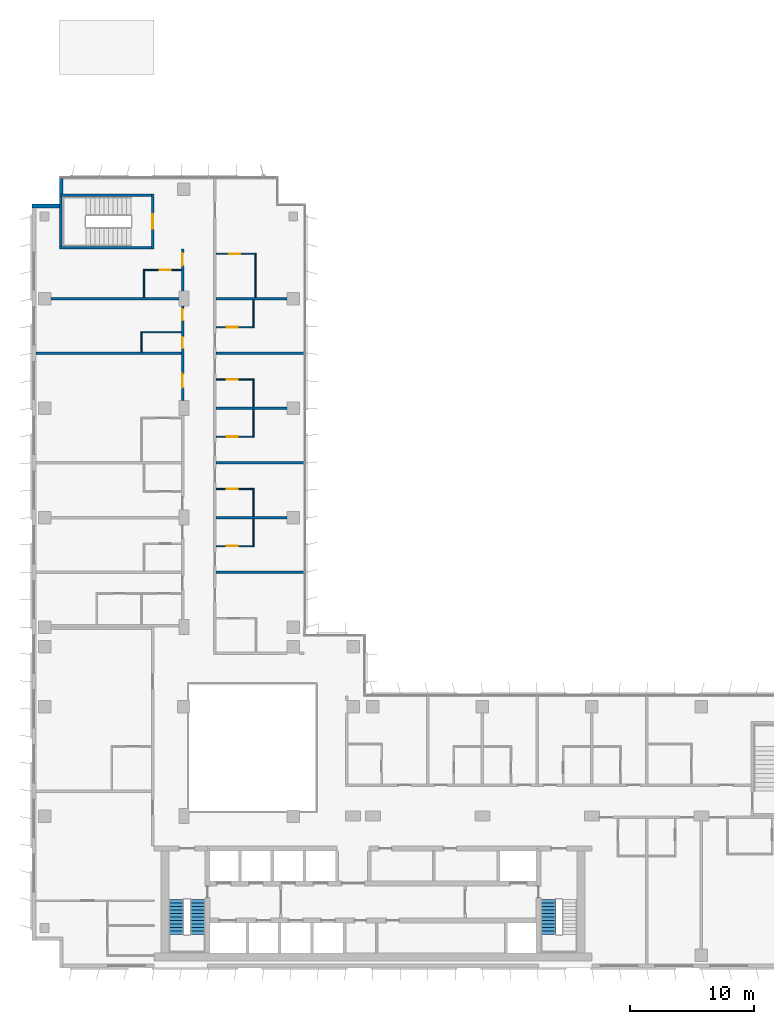
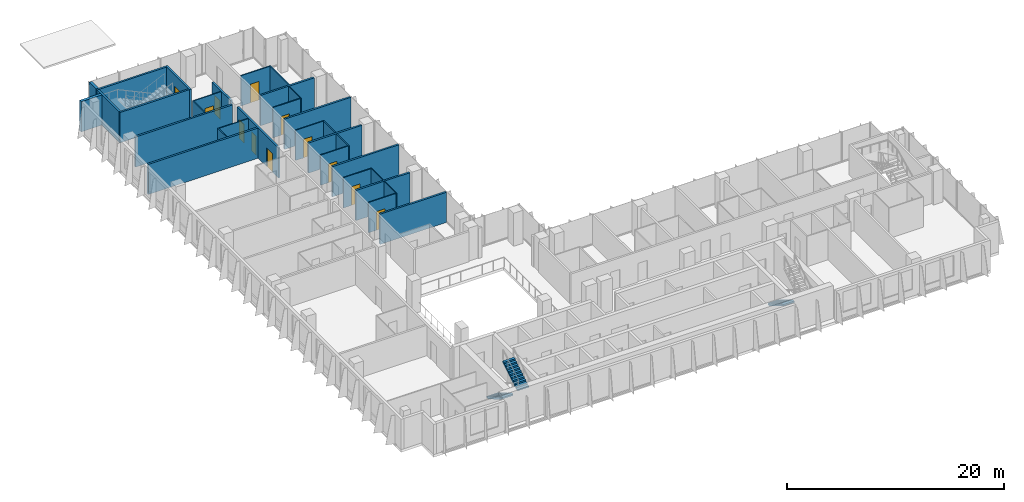
# One storey, part 17 of 21: 32 walls, 12 doors, 3 stair flights, 12 openings, 2 elements without a shape of their own.
"""IFC4 building model written with IfcOpenShell, lengths in metres."""

from ifc_helpers import new_model, si_unit, direction, frame, frame_2d, origin, place, context, subcontext, project, spatial, polyline, rectangle, outline, extrude, material, layer, layer_set, type_object, element, fill, aggregate, save


model = new_model("IFC4")

# Units and contexts
model_context = context("Model", 3, precision=1e-05, world=origin(), true_north=direction((0.0, 1.0)))
body_context = subcontext(model_context, "Body", "Model", "MODEL_VIEW")
ifc_project = project(units=[si_unit("LENGTHUNIT", "METRE"), si_unit("AREAUNIT", "SQUARE_METRE"), si_unit("VOLUMEUNIT", "CUBIC_METRE"), si_unit("PLANEANGLEUNIT", "RADIAN"), si_unit("MASSUNIT", "GRAM", prefix="KILO")], contexts=[model_context])

# Site, building, storey
site_placement = place(None, origin())
site = spatial("IfcSite", under=ifc_project, at=site_placement, CompositionType="ELEMENT")
building_placement = place(site_placement, origin())
building = spatial("IfcBuilding", under=site, at=building_placement, Name="Kemantara Hotel Tower", CompositionType="ELEMENT")
storey_placement = place(building_placement, frame((0.0, 0.0, 156.800048828125)))
storey = spatial("IfcBuildingStorey", under=building, at=storey_placement, Name="L38", CompositionType="ELEMENT", Elevation=156.800048828125)

# Walls
ifc_material_1 = material(Name="Bronze anodised aluminium cladding on insulated steel stud wall", Category="steel")
ifc_layer_1 = layer(ifc_material_1, 0.300048828125)
ifc_layer_set_1 = layer_set([ifc_layer_1], Name="Bronze anodised aluminium cladding on insulated steel stud wall")
wall_type_1 = type_object("IfcWallType", Name="BRONZE METAL-CLAD EXTERNAL WALL 300", PredefinedType="STANDARD", material=ifc_layer_set_1)
wall_1_placement = place(storey_placement, frame((2.35009765625, 63.449951171875, 0.0), z_axis=(0.0, 0.0, 1.0), x_axis=(0.0, -1.0, 0.0)))
element("IfcWall", 1, at=wall_1_placement, inside=storey, type_object=wall_type_1, Name="EXTERNAL WALL L38 T3-R03", PredefinedType="STANDARD", context=body_context, shape_type="SweptSolid", body=[
    extrude(rectangle(XDim=1.25, YDim=0.300048828125, at=frame_2d((0.625, 0.0))), origin(), (0.0, 0.0, 1.0), 3.39990234375),
])
wall_2_placement = place(storey_placement, frame((2.199951171875, 61.25, 0.0), z_axis=(0.0, 0.0, 1.0), x_axis=(-1.0, 0.0, 0.0)))
element("IfcWall", 2, at=wall_2_placement, inside=storey, type_object=wall_type_1, Name="EXTERNAL WALL L38 T3-R04", PredefinedType="STANDARD", context=body_context, shape_type="SweptSolid", body=[
    extrude(rectangle(XDim=2.199951171875, YDim=0.300048828125, at=frame_2d((1.10009765625, 0.0))), origin(), (0.0, 0.0, 1.0), 3.39990234375),
])

# Wall, openings, doors
ifc_material_2 = material(Name="Gypsum board partition, steel studs and mineral wool, 200 mm", Category="steel")
ifc_layer_2 = layer(ifc_material_2, 0.199951171875)
ifc_layer_set_2 = layer_set([ifc_layer_2], Name="Gypsum board partition, steel studs and mineral wool, 200 mm")
wall_type_2 = type_object("IfcWallType", Name="CORRIDOR WALL 200", PredefinedType="PARTITIONING", material=ifc_layer_set_2)
wall_3_placement = place(storey_placement, frame((12.10009765625, 45.60009765625, 0.0), z_axis=(0.0, 0.0, 1.0), x_axis=(0.0, 1.0, 0.0)))
wall_3 = element("IfcWall", 3, at=wall_3_placement, inside=storey, type_object=wall_type_2, Name="CORRIDOR WALL 200 019", PredefinedType="PARTITIONING", context=body_context, shape_type="SweptSolid", body=[
    extrude(rectangle(XDim=7.599853515625, YDim=0.199951171875, at=frame_2d((3.7998046875, 0.0))), origin(), (0.0, 0.0, 1.0), 3.39990234375),
])
opening_1_placement = place(wall_3_placement, frame((1.0498046875, 0.0, 0.0)))
opening_1 = element("IfcOpeningElement", 4, at=opening_1_placement, cuts=wall_3, Name="Opening F17-032", PredefinedType="OPENING", context=body_context, shape_type="SweptSolid", body=[
    extrude(rectangle(XDim=1.10009765625, YDim=2.10009765625, at=frame_2d((0.550048828125, 1.050048828125))), frame((0.0, 0.10986328125, 0.0), z_axis=(0.0, -1.0, 0.0), x_axis=(1.0, 0.0, 0.0)), (0.0, 0.0, 1.0), 0.219970703125),
])
opening_2_placement = place(wall_3_placement, frame((6.449951171875, 0.0, 0.0)))
opening_2 = element("IfcOpeningElement", 5, at=opening_2_placement, cuts=wall_3, Name="Opening F17-034", PredefinedType="OPENING", context=body_context, shape_type="SweptSolid", body=[
    extrude(rectangle(XDim=0.89990234375, YDim=2.10009765625, at=frame_2d((0.449951171875, 1.050048828125))), frame((0.0, 0.10986328125, 0.0), z_axis=(0.0, -1.0, 0.0), x_axis=(1.0, 0.0, 0.0)), (0.0, 0.0, 1.0), 0.219970703125),
])
opening_3_placement = place(wall_3_placement, frame((4.199951171875, 0.0, 0.0)))
opening_3 = element("IfcOpeningElement", 6, at=opening_3_placement, cuts=wall_3, Name="Opening F17-035", PredefinedType="OPENING", context=body_context, shape_type="SweptSolid", body=[
    extrude(rectangle(XDim=0.89990234375, YDim=2.10009765625, at=frame_2d((0.449951171875, 1.050048828125))), frame((0.0, 0.10986328125, 0.0), z_axis=(0.0, -1.0, 0.0), x_axis=(1.0, 0.0, 0.0)), (0.0, 0.0, 1.0), 0.219970703125),
])
ifc_material_3 = material(Name="Steel door leaf with steel frame", Category="steel")
door_type_1 = type_object("IfcDoorType", Name="SERVICE ROOM DOOR 900 X 2100 FD60", OperationType="NOTDEFINED", PredefinedType="DOOR", material=ifc_material_3)
door_1_placement = place(opening_2_placement, origin())
door_1 = element("IfcDoor", 7, at=door_1_placement, inside=storey, type_object=door_type_1, Name="SERVICE ROOM DOOR F17-034", OperationType="SINGLE_SWING_RIGHT", OverallHeight=2.10009765625, OverallWidth=0.89990234375, PredefinedType="DOOR", context=body_context, shape_type="SweptSolid", body=[
    extrude(rectangle(XDim=0.89990234375, YDim=2.10009765625, at=frame_2d((0.449951171875, 1.050048828125))), frame((0.0, 0.02490234375, 0.0), z_axis=(0.0, -1.0, 0.0), x_axis=(1.0, 0.0, 0.0)), (0.0, 0.0, 1.0), 0.050048828125),
])
fill(opening_2, door_1)
door_2_placement = place(opening_3_placement, origin())
door_2 = element("IfcDoor", 8, at=door_2_placement, inside=storey, type_object=door_type_1, Name="SERVICE ROOM DOOR F17-035", OperationType="SINGLE_SWING_LEFT", OverallHeight=2.10009765625, OverallWidth=0.89990234375, PredefinedType="DOOR", context=body_context, shape_type="SweptSolid", body=[
    extrude(rectangle(XDim=0.89990234375, YDim=2.10009765625, at=frame_2d((0.449951171875, 1.050048828125))), frame((0.0, 0.02490234375, 0.0), z_axis=(0.0, -1.0, 0.0), x_axis=(1.0, 0.0, 0.0)), (0.0, 0.0, 1.0), 0.050048828125),
])
fill(opening_3, door_2)
ifc_material_4 = material(Name="Hardwood veneer door leaf with steel frame", Category="steel")
door_type_2 = type_object("IfcDoorType", Name="SUITE ENTRANCE DOOR 1100 X 2100 FD30S", OperationType="NOTDEFINED", PredefinedType="DOOR", material=ifc_material_4)
door_3_placement = place(opening_1_placement, origin())
door_3 = element("IfcDoor", 9, at=door_3_placement, inside=storey, type_object=door_type_2, Name="SUITE ENTRANCE DOOR F17-032", OperationType="SINGLE_SWING_RIGHT", OverallHeight=2.10009765625, OverallWidth=1.10009765625, PredefinedType="DOOR", context=body_context, shape_type="SweptSolid", body=[
    extrude(rectangle(XDim=1.10009765625, YDim=2.10009765625, at=frame_2d((0.550048828125, 1.050048828125))), frame((0.0, 0.02490234375, 0.0), z_axis=(0.0, -1.0, 0.0), x_axis=(1.0, 0.0, 0.0)), (0.0, 0.0, 1.0), 0.050048828125),
])
fill(opening_1, door_3)

# Wall, opening, door
wall_4_placement = place(storey_placement, frame((12.10009765625, 54.400146484375, 0.0), z_axis=(0.0, 0.0, 1.0), x_axis=(0.0, 1.0, 0.0)))
wall_4 = element("IfcWall", 10, at=wall_4_placement, inside=storey, type_object=wall_type_2, Name="CORRIDOR WALL 200 020", PredefinedType="PARTITIONING", context=body_context, shape_type="SweptSolid", body=[
    extrude(rectangle(XDim=3.39990234375, YDim=0.199951171875, at=frame_2d((1.699951171875, 0.0))), origin(), (0.0, 0.0, 1.0), 3.39990234375),
])
opening_4_placement = place(wall_4_placement, frame((2.0498046875, 0.0, 0.0)))
opening_4 = element("IfcOpeningElement", 11, at=opening_4_placement, cuts=wall_4, Name="Opening F17-036", PredefinedType="OPENING", context=body_context, shape_type="SweptSolid", body=[
    extrude(rectangle(XDim=1.0, YDim=2.10009765625, at=frame_2d((0.5, 1.050048828125))), frame((0.0, 0.10986328125, 0.0), z_axis=(0.0, -1.0, 0.0), x_axis=(1.0, 0.0, 0.0)), (0.0, 0.0, 1.0), 0.219970703125),
])
door_type_3 = type_object("IfcDoorType", Name="GUEST ROOM DOOR 1000 X 2100 FD30S", OperationType="NOTDEFINED", PredefinedType="DOOR", material=ifc_material_4)
door_4_placement = place(opening_4_placement, origin())
door_4 = element("IfcDoor", 12, at=door_4_placement, inside=storey, type_object=door_type_3, Name="GUEST ROOM DOOR F17-036", OperationType="SINGLE_SWING_RIGHT", OverallHeight=2.10009765625, OverallWidth=1.0, PredefinedType="DOOR", context=body_context, shape_type="SweptSolid", body=[
    extrude(rectangle(XDim=1.0, YDim=2.10009765625, at=frame_2d((0.5, 1.050048828125))), frame((0.0, 0.02490234375, 0.0), z_axis=(0.0, -1.0, 0.0), x_axis=(1.0, 0.0, 0.0)), (0.0, 0.0, 1.0), 0.050048828125),
])
fill(opening_4, door_4)

ifc_material_5 = material(Name="Concrete fc 40 MPa", Category="concrete")
ifc_layer_3 = layer(ifc_material_5, 0.199951171875)
ifc_layer_set_3 = layer_set([ifc_layer_3], Name="Concrete fc 40 MPa")
wall_type_3 = type_object("IfcWallType", Name="Concrete stair wall 200 mm", PredefinedType="SHEAR", material=ifc_layer_set_3)
wall_5_placement = place(storey_placement, frame((9.699951171875, 57.800048828125, 0.0), z_axis=(0.0, 0.0, 1.0), x_axis=(0.0, 1.0, 0.0)))
wall_5 = element("IfcWall", 13, at=wall_5_placement, inside=storey, type_object=wall_type_3, Name="Stair ST4 enclosure wall with door", PredefinedType="SHEAR", context=body_context, shape_type="SweptSolid", body=[
    extrude(rectangle(XDim=4.39990234375, YDim=0.199951171875, at=frame_2d((2.199951171875, 0.0))), origin(), (0.0, 0.0, 1.0), 3.39990234375),
])
opening_5_placement = place(wall_5_placement, frame((1.60009765625, 0.0, 0.0)))
opening_5 = element("IfcOpeningElement", 14, at=opening_5_placement, cuts=wall_5, Name="Opening ST4-C", PredefinedType="OPENING", context=body_context, shape_type="SweptSolid", body=[
    extrude(rectangle(XDim=1.199951171875, YDim=2.10009765625, at=frame_2d((0.60009765625, 1.050048828125))), frame((0.0, 0.10986328125, 0.0), z_axis=(0.0, -1.0, 0.0), x_axis=(1.0, 0.0, 0.0)), (0.0, 0.0, 1.0), 0.219970703125),
])
ifc_material_6 = material(Name="Steel fire door", Category="steel")
door_type_4 = type_object("IfcDoorType", Name="Fire door FD90 1200 x 2100", OperationType="NOTDEFINED", PredefinedType="DOOR", material=ifc_material_6)
door_5_placement = place(opening_5_placement, origin())
door_5 = element("IfcDoor", 15, at=door_5_placement, inside=storey, type_object=door_type_4, Name="Stair ST4 door", OperationType="SINGLE_SWING_RIGHT", OverallHeight=2.10009765625, OverallWidth=1.199951171875, PredefinedType="DOOR", context=body_context, shape_type="SweptSolid", body=[
    extrude(rectangle(XDim=1.199951171875, YDim=2.10009765625, at=frame_2d((0.60009765625, 1.050048828125))), frame((0.0, 0.02490234375, 0.0), z_axis=(0.0, -1.0, 0.0), x_axis=(1.0, 0.0, 0.0)), (0.0, 0.0, 1.0), 0.050048828125),
])
fill(opening_5, door_5)

# Walls
for number, where, z_axis, x_axis, name in (
    (16, (2.199951171875, 62.10009765625, 0.0), (0.0, 0.0, 1.0), (1.0, 0.0, 0.0), "Stair ST4 enclosure wall N"),
    (17, (2.199951171875, 57.89990234375, 0.0), (0.0, 0.0, 1.0), (1.0, 0.0, 0.0), "Stair ST4 enclosure wall S"),
):
    element("IfcWall", number, at=place(storey_placement, frame(where, z_axis=z_axis, x_axis=x_axis)), inside=storey, type_object=wall_type_3, Name=name, PredefinedType="SHEAR", context=body_context, shape_type="SweptSolid", body=[
        extrude(rectangle(XDim=7.400146484375, YDim=0.199951171875, at=frame_2d((3.7001953125, 0.0))), origin(), (0.0, 0.0, 1.0), 3.39990234375),
    ])
wall_6_placement = place(storey_placement, frame((2.300048828125, 58.0, 0.0), z_axis=(0.0, 0.0, 1.0), x_axis=(0.0, 1.0, 0.0)))
element("IfcWall", 18, at=wall_6_placement, inside=storey, type_object=wall_type_3, Name="Stair ST4 enclosure wall W", PredefinedType="SHEAR", context=body_context, shape_type="SweptSolid", body=[
    extrude(rectangle(XDim=4.0, YDim=0.199951171875, at=frame_2d((2.0, 0.0))), origin(), (0.0, 0.0, 1.0), 3.39990234375),
])
ifc_layer_4 = layer(ifc_material_2, 0.199951171875)
ifc_layer_set_4 = layer_set([ifc_layer_4], Name="Gypsum board partition, steel studs and mineral wool, 200 mm")
wall_type_4 = type_object("IfcWallType", Name="GUEST ROOM PARTY WALL 200", PredefinedType="PARTITIONING", material=ifc_layer_set_4)
wall_7_placement = place(storey_placement, frame((14.800048828125, 31.800048828125, 0.0), z_axis=(0.0, 0.0, 1.0), x_axis=(1.0, 0.0, 0.0)))
element("IfcWall", 19, at=wall_7_placement, inside=storey, type_object=wall_type_4, Name="GUEST ROOM PARTY WALL 200 023", PredefinedType="PARTITIONING", context=body_context, shape_type="SweptSolid", body=[
    extrude(rectangle(XDim=7.070068359375, YDim=0.199951171875, at=frame_2d((3.53515625, 0.0))), origin(), (0.0, 0.0, 1.0), 3.39990234375),
])
wall_8_placement = place(storey_placement, frame((14.800048828125, 36.199951171875, 0.0), z_axis=(0.0, 0.0, 1.0), x_axis=(1.0, 0.0, 0.0)))
element("IfcWall", 20, at=wall_8_placement, inside=storey, type_object=wall_type_4, Name="GUEST ROOM PARTY WALL 200 025", PredefinedType="PARTITIONING", context=body_context, shape_type="SweptSolid", body=[
    extrude(rectangle(XDim=5.699951171875, YDim=0.199951171875, at=frame_2d((2.85009765625, 0.0))), origin(), (0.0, 0.0, 1.0), 3.39990234375),
])
wall_9_placement = place(storey_placement, frame((14.800048828125, 40.60009765625, 0.0), z_axis=(0.0, 0.0, 1.0), x_axis=(1.0, 0.0, 0.0)))
element("IfcWall", 21, at=wall_9_placement, inside=storey, type_object=wall_type_4, Name="GUEST ROOM PARTY WALL 200 027", PredefinedType="PARTITIONING", context=body_context, shape_type="SweptSolid", body=[
    extrude(rectangle(XDim=7.070068359375, YDim=0.199951171875, at=frame_2d((3.53515625, 0.0))), origin(), (0.0, 0.0, 1.0), 3.39990234375),
])
wall_10_placement = place(storey_placement, frame((0.31005859375, 49.39990234375, 0.0), z_axis=(0.0, 0.0, 1.0), x_axis=(1.0, 0.0, 0.0)))
element("IfcWall", 22, at=wall_10_placement, inside=storey, type_object=wall_type_4, Name="GUEST ROOM PARTY WALL 200 028", PredefinedType="PARTITIONING", context=body_context, shape_type="SweptSolid", body=[
    extrude(rectangle(XDim=11.68994140625, YDim=0.199951171875, at=frame_2d((5.844970703125, 0.0))), origin(), (0.0, 0.0, 1.0), 3.39990234375),
])
wall_11_placement = place(storey_placement, frame((14.800048828125, 49.39990234375, 0.0), z_axis=(0.0, 0.0, 1.0), x_axis=(1.0, 0.0, 0.0)))
element("IfcWall", 23, at=wall_11_placement, inside=storey, type_object=wall_type_4, Name="GUEST ROOM PARTY WALL 200 029", PredefinedType="PARTITIONING", context=body_context, shape_type="SweptSolid", body=[
    extrude(rectangle(XDim=7.070068359375, YDim=0.199951171875, at=frame_2d((3.53515625, 0.0))), origin(), (0.0, 0.0, 1.0), 3.39990234375),
])
wall_12_placement = place(storey_placement, frame((1.5, 53.800048828125, 0.0), z_axis=(0.0, 0.0, 1.0), x_axis=(1.0, 0.0, 0.0)))
element("IfcWall", 24, at=wall_12_placement, inside=storey, type_object=wall_type_4, Name="GUEST ROOM PARTY WALL 200 030", PredefinedType="PARTITIONING", context=body_context, shape_type="SweptSolid", body=[
    extrude(rectangle(XDim=10.2998046875, YDim=0.199951171875, at=frame_2d((5.14990234375, 0.0))), origin(), (0.0, 0.0, 1.0), 3.39990234375),
])
for number, where, z_axis, x_axis, name in (
    (25, (14.800048828125, 53.800048828125, 0.0), (0.0, 0.0, 1.0), (1.0, 0.0, 0.0), "GUEST ROOM PARTY WALL 200 031"),
    (26, (14.800048828125, 45.0, 0.0), (0.0, 0.0, 1.0), (1.0, 0.0, 0.0), "GUEST ROOM PARTY WALL 200 035"),
):
    element("IfcWall", number, at=place(storey_placement, frame(where, z_axis=z_axis, x_axis=x_axis)), inside=storey, type_object=wall_type_4, Name=name, PredefinedType="PARTITIONING", context=body_context, shape_type="SweptSolid", body=[
        extrude(rectangle(XDim=5.699951171875, YDim=0.199951171875, at=frame_2d((2.85009765625, 0.0))), origin(), (0.0, 0.0, 1.0), 3.39990234375),
    ])
ifc_material_7 = material(Name="Gypsum board partition on steel studs, 100 mm", Category="steel")
ifc_layer_5 = layer(ifc_material_7, 0.10009765625)
ifc_layer_set_5 = layer_set([ifc_layer_5], Name="Gypsum board partition on steel studs, 100 mm")
wall_type_5 = type_object("IfcWallType", Name="ROOM PARTITION 100", PredefinedType="PARTITIONING", material=ifc_layer_set_5)
wall_13_placement = place(storey_placement, frame((8.800048828125, 49.5, 0.0), z_axis=(0.0, 0.0, 1.0), x_axis=(0.0, 1.0, 0.0)))
element("IfcWall", 27, at=wall_13_placement, inside=storey, type_object=wall_type_5, Name="ROOM PARTITION 100 064", PredefinedType="PARTITIONING", context=body_context, shape_type="SweptSolid", body=[
    extrude(rectangle(XDim=1.64990234375, YDim=0.10009765625, at=frame_2d((0.824951171875, 0.0))), origin(), (0.0, 0.0, 1.0), 3.39990234375),
])
wall_14_placement = place(storey_placement, frame((9.0, 53.89990234375, 0.0), z_axis=(0.0, 0.0, 1.0), x_axis=(0.0, 1.0, 0.0)))
element("IfcWall", 28, at=wall_14_placement, inside=storey, type_object=wall_type_5, Name="ROOM PARTITION 100 068", PredefinedType="PARTITIONING", context=body_context, shape_type="SweptSolid", body=[
    extrude(rectangle(XDim=2.25, YDim=0.10009765625, at=frame_2d((1.125, 0.0))), origin(), (0.0, 0.0, 1.0), 3.39990234375),
])
wall_15_placement = place(storey_placement, frame((8.85009765625, 51.10009765625, 0.0), z_axis=(0.0, 0.0, 1.0), x_axis=(1.0, 0.0, 0.0)))
element("IfcWall", 29, at=wall_15_placement, inside=storey, type_object=wall_type_5, Name="ROOM PARTITION 100 072", PredefinedType="PARTITIONING", context=body_context, shape_type="SweptSolid", body=[
    extrude(rectangle(XDim=3.14990234375, YDim=0.10009765625, at=frame_2d((1.574951171875, 0.0))), origin(), (0.0, 0.0, 1.0), 3.39990234375),
])

# Wall, opening, door
wall_16_placement = place(storey_placement, frame((12.0, 56.10009765625, 0.0), z_axis=(0.0, 0.0, 1.0), x_axis=(-1.0, 0.0, 0.0)))
wall_16 = element("IfcWall", 30, at=wall_16_placement, inside=storey, type_object=wall_type_5, Name="ROOM PARTITION 100 073", PredefinedType="PARTITIONING", context=body_context, shape_type="SweptSolid", body=[
    extrude(rectangle(XDim=2.949951171875, YDim=0.10009765625, at=frame_2d((1.47509765625, 0.0))), origin(), (0.0, 0.0, 1.0), 3.39990234375),
])
opening_6_placement = place(wall_16_placement, frame((0.85009765625, 0.0, 0.0)))
opening_6 = element("IfcOpeningElement", 31, at=opening_6_placement, cuts=wall_16, Name="Opening F17-037", PredefinedType="OPENING", context=body_context, shape_type="SweptSolid", body=[
    extrude(rectangle(XDim=0.89990234375, YDim=2.10009765625, at=frame_2d((0.449951171875, 1.050048828125))), frame((0.0, 0.06005859375, 0.0), z_axis=(0.0, -1.0, 0.0), x_axis=(1.0, 0.0, 0.0)), (0.0, 0.0, 1.0), 0.1201171875),
])
door_type_5 = type_object("IfcDoorType", Name="BATHROOM DOOR 900 X 2100", OperationType="NOTDEFINED", PredefinedType="DOOR", material=ifc_material_4)
door_6_placement = place(opening_6_placement, origin())
door_6 = element("IfcDoor", 32, at=door_6_placement, inside=storey, type_object=door_type_5, Name="BATHROOM DOOR F17-037", OperationType="SINGLE_SWING_LEFT", OverallHeight=2.10009765625, OverallWidth=0.89990234375, PredefinedType="DOOR", context=body_context, shape_type="SweptSolid", body=[
    extrude(rectangle(XDim=0.89990234375, YDim=2.10009765625, at=frame_2d((0.449951171875, 1.050048828125))), frame((0.0, 0.02490234375, 0.0), z_axis=(0.0, -1.0, 0.0), x_axis=(1.0, 0.0, 0.0)), (0.0, 0.0, 1.0), 0.050048828125),
])
fill(opening_6, door_6)

# Walls
for number, where, z_axis, x_axis, name in (
    (33, (17.800048828125, 33.85009765625, 0.0), (0.0, 0.0, 1.0), (0.0, 1.0, 0.0), "ROOM PARTITION 100 076"),
    (34, (17.800048828125, 36.300048828125, 0.0), (0.0, 0.0, 1.0), (0.0, 1.0, 0.0), "ROOM PARTITION 100 077"),
    (35, (17.800048828125, 42.64990234375, 0.0), (0.0, 0.0, 1.0), (0.0, 1.0, 0.0), "ROOM PARTITION 100 078"),
    (36, (17.800048828125, 45.10009765625, 0.0), (0.0, 0.0, 1.0), (0.0, 1.0, 0.0), "ROOM PARTITION 100 079"),
    (37, (17.800048828125, 51.449951171875, 0.0), (0.0, 0.0, 1.0), (0.0, 1.0, 0.0), "ROOM PARTITION 100 080"),
):
    element("IfcWall", number, at=place(storey_placement, frame(where, z_axis=z_axis, x_axis=x_axis)), inside=storey, type_object=wall_type_5, Name=name, PredefinedType="PARTITIONING", context=body_context, shape_type="SweptSolid", body=[
        extrude(rectangle(XDim=2.25, YDim=0.10009765625, at=frame_2d((1.125, 0.0))), origin(), (0.0, 0.0, 1.0), 3.39990234375),
    ])

# Wall, opening, door
wall_17_placement = place(storey_placement, frame((14.800048828125, 33.89990234375, 0.0), z_axis=(0.0, 0.0, 1.0), x_axis=(1.0, 0.0, 0.0)))
wall_17 = element("IfcWall", 38, at=wall_17_placement, inside=storey, type_object=wall_type_5, Name="ROOM PARTITION 100 081", PredefinedType="PARTITIONING", context=body_context, shape_type="SweptSolid", body=[
    extrude(rectangle(XDim=2.949951171875, YDim=0.10009765625, at=frame_2d((1.47509765625, 0.0))), origin(), (0.0, 0.0, 1.0), 3.39990234375),
])
opening_7_placement = place(wall_17_placement, frame((0.85009765625, 0.0, 0.0)))
opening_7 = element("IfcOpeningElement", 39, at=opening_7_placement, cuts=wall_17, Name="Opening F17-041", PredefinedType="OPENING", context=body_context, shape_type="SweptSolid", body=[
    extrude(rectangle(XDim=0.89990234375, YDim=2.10009765625, at=frame_2d((0.449951171875, 1.050048828125))), frame((0.0, 0.06005859375, 0.0), z_axis=(0.0, -1.0, 0.0), x_axis=(1.0, 0.0, 0.0)), (0.0, 0.0, 1.0), 0.1201171875),
])
door_7_placement = place(opening_7_placement, origin())
door_7 = element("IfcDoor", 40, at=door_7_placement, inside=storey, type_object=door_type_5, Name="BATHROOM DOOR F17-041", OperationType="SINGLE_SWING_LEFT", OverallHeight=2.10009765625, OverallWidth=0.89990234375, PredefinedType="DOOR", context=body_context, shape_type="SweptSolid", body=[
    extrude(rectangle(XDim=0.89990234375, YDim=2.10009765625, at=frame_2d((0.449951171875, 1.050048828125))), frame((0.0, 0.02490234375, 0.0), z_axis=(0.0, -1.0, 0.0), x_axis=(1.0, 0.0, 0.0)), (0.0, 0.0, 1.0), 0.050048828125),
])
fill(opening_7, door_7)

wall_18_placement = place(storey_placement, frame((17.75, 38.5, 0.0), z_axis=(0.0, 0.0, 1.0), x_axis=(-1.0, 0.0, 0.0)))
wall_18 = element("IfcWall", 41, at=wall_18_placement, inside=storey, type_object=wall_type_5, Name="ROOM PARTITION 100 082", PredefinedType="PARTITIONING", context=body_context, shape_type="SweptSolid", body=[
    extrude(rectangle(XDim=2.949951171875, YDim=0.10009765625, at=frame_2d((1.47509765625, 0.0))), origin(), (0.0, 0.0, 1.0), 3.39990234375),
])
opening_8_placement = place(wall_18_placement, frame((1.199951171875, 0.0, 0.0)))
opening_8 = element("IfcOpeningElement", 42, at=opening_8_placement, cuts=wall_18, Name="Opening F17-043", PredefinedType="OPENING", context=body_context, shape_type="SweptSolid", body=[
    extrude(rectangle(XDim=0.89990234375, YDim=2.10009765625, at=frame_2d((0.449951171875, 1.050048828125))), frame((0.0, 0.06005859375, 0.0), z_axis=(0.0, -1.0, 0.0), x_axis=(1.0, 0.0, 0.0)), (0.0, 0.0, 1.0), 0.1201171875),
])
door_8_placement = place(opening_8_placement, origin())
door_8 = element("IfcDoor", 43, at=door_8_placement, inside=storey, type_object=door_type_5, Name="BATHROOM DOOR F17-043", OperationType="SINGLE_SWING_RIGHT", OverallHeight=2.10009765625, OverallWidth=0.89990234375, PredefinedType="DOOR", context=body_context, shape_type="SweptSolid", body=[
    extrude(rectangle(XDim=0.89990234375, YDim=2.10009765625, at=frame_2d((0.449951171875, 1.050048828125))), frame((0.0, 0.02490234375, 0.0), z_axis=(0.0, -1.0, 0.0), x_axis=(1.0, 0.0, 0.0)), (0.0, 0.0, 1.0), 0.050048828125),
])
fill(opening_8, door_8)

wall_19_placement = place(storey_placement, frame((14.800048828125, 42.699951171875, 0.0), z_axis=(0.0, 0.0, 1.0), x_axis=(1.0, 0.0, 0.0)))
wall_19 = element("IfcWall", 44, at=wall_19_placement, inside=storey, type_object=wall_type_5, Name="ROOM PARTITION 100 083", PredefinedType="PARTITIONING", context=body_context, shape_type="SweptSolid", body=[
    extrude(rectangle(XDim=2.949951171875, YDim=0.10009765625, at=frame_2d((1.47509765625, 0.0))), origin(), (0.0, 0.0, 1.0), 3.39990234375),
])
opening_9_placement = place(wall_19_placement, frame((0.85009765625, 0.0, 0.0)))
opening_9 = element("IfcOpeningElement", 45, at=opening_9_placement, cuts=wall_19, Name="Opening F17-045", PredefinedType="OPENING", context=body_context, shape_type="SweptSolid", body=[
    extrude(rectangle(XDim=0.89990234375, YDim=2.10009765625, at=frame_2d((0.449951171875, 1.050048828125))), frame((0.0, 0.06005859375, 0.0), z_axis=(0.0, -1.0, 0.0), x_axis=(1.0, 0.0, 0.0)), (0.0, 0.0, 1.0), 0.1201171875),
])
door_9_placement = place(opening_9_placement, origin())
door_9 = element("IfcDoor", 46, at=door_9_placement, inside=storey, type_object=door_type_5, Name="BATHROOM DOOR F17-045", OperationType="SINGLE_SWING_LEFT", OverallHeight=2.10009765625, OverallWidth=0.89990234375, PredefinedType="DOOR", context=body_context, shape_type="SweptSolid", body=[
    extrude(rectangle(XDim=0.89990234375, YDim=2.10009765625, at=frame_2d((0.449951171875, 1.050048828125))), frame((0.0, 0.02490234375, 0.0), z_axis=(0.0, -1.0, 0.0), x_axis=(1.0, 0.0, 0.0)), (0.0, 0.0, 1.0), 0.050048828125),
])
fill(opening_9, door_9)

wall_20_placement = place(storey_placement, frame((17.75, 47.300048828125, 0.0), z_axis=(0.0, 0.0, 1.0), x_axis=(-1.0, 0.0, 0.0)))
wall_20 = element("IfcWall", 47, at=wall_20_placement, inside=storey, type_object=wall_type_5, Name="ROOM PARTITION 100 084", PredefinedType="PARTITIONING", context=body_context, shape_type="SweptSolid", body=[
    extrude(rectangle(XDim=2.949951171875, YDim=0.10009765625, at=frame_2d((1.47509765625, 0.0))), origin(), (0.0, 0.0, 1.0), 3.39990234375),
])
opening_10_placement = place(wall_20_placement, frame((1.199951171875, 0.0, 0.0)))
opening_10 = element("IfcOpeningElement", 48, at=opening_10_placement, cuts=wall_20, Name="Opening F17-047", PredefinedType="OPENING", context=body_context, shape_type="SweptSolid", body=[
    extrude(rectangle(XDim=0.89990234375, YDim=2.10009765625, at=frame_2d((0.449951171875, 1.050048828125))), frame((0.0, 0.06005859375, 0.0), z_axis=(0.0, -1.0, 0.0), x_axis=(1.0, 0.0, 0.0)), (0.0, 0.0, 1.0), 0.1201171875),
])
door_10_placement = place(opening_10_placement, origin())
door_10 = element("IfcDoor", 49, at=door_10_placement, inside=storey, type_object=door_type_5, Name="BATHROOM DOOR F17-047", OperationType="SINGLE_SWING_RIGHT", OverallHeight=2.10009765625, OverallWidth=0.89990234375, PredefinedType="DOOR", context=body_context, shape_type="SweptSolid", body=[
    extrude(rectangle(XDim=0.89990234375, YDim=2.10009765625, at=frame_2d((0.449951171875, 1.050048828125))), frame((0.0, 0.02490234375, 0.0), z_axis=(0.0, -1.0, 0.0), x_axis=(1.0, 0.0, 0.0)), (0.0, 0.0, 1.0), 0.050048828125),
])
fill(opening_10, door_10)

wall_21_placement = place(storey_placement, frame((14.800048828125, 51.5, 0.0), z_axis=(0.0, 0.0, 1.0), x_axis=(1.0, 0.0, 0.0)))
wall_21 = element("IfcWall", 50, at=wall_21_placement, inside=storey, type_object=wall_type_5, Name="ROOM PARTITION 100 085", PredefinedType="PARTITIONING", context=body_context, shape_type="SweptSolid", body=[
    extrude(rectangle(XDim=2.949951171875, YDim=0.10009765625, at=frame_2d((1.47509765625, 0.0))), origin(), (0.0, 0.0, 1.0), 3.39990234375),
])
opening_11_placement = place(wall_21_placement, frame((0.85009765625, 0.0, 0.0)))
opening_11 = element("IfcOpeningElement", 51, at=opening_11_placement, cuts=wall_21, Name="Opening F17-049", PredefinedType="OPENING", context=body_context, shape_type="SweptSolid", body=[
    extrude(rectangle(XDim=0.89990234375, YDim=2.10009765625, at=frame_2d((0.449951171875, 1.050048828125))), frame((0.0, 0.06005859375, 0.0), z_axis=(0.0, -1.0, 0.0), x_axis=(1.0, 0.0, 0.0)), (0.0, 0.0, 1.0), 0.1201171875),
])
door_11_placement = place(opening_11_placement, origin())
door_11 = element("IfcDoor", 52, at=door_11_placement, inside=storey, type_object=door_type_5, Name="BATHROOM DOOR F17-049", OperationType="SINGLE_SWING_LEFT", OverallHeight=2.10009765625, OverallWidth=0.89990234375, PredefinedType="DOOR", context=body_context, shape_type="SweptSolid", body=[
    extrude(rectangle(XDim=0.89990234375, YDim=2.10009765625, at=frame_2d((0.449951171875, 1.050048828125))), frame((0.0, 0.02490234375, 0.0), z_axis=(0.0, -1.0, 0.0), x_axis=(1.0, 0.0, 0.0)), (0.0, 0.0, 1.0), 0.050048828125),
])
fill(opening_11, door_11)

# Wall
wall_22_placement = place(storey_placement, frame((17.949951171875, 53.89990234375, 0.0), z_axis=(0.0, 0.0, 1.0), x_axis=(0.0, 1.0, 0.0)))
element("IfcWall", 53, at=wall_22_placement, inside=storey, type_object=wall_type_5, Name="ROOM PARTITION 100 086", PredefinedType="PARTITIONING", context=body_context, shape_type="SweptSolid", body=[
    extrude(rectangle(XDim=3.550048828125, YDim=0.10009765625, at=frame_2d((1.77490234375, 0.0))), origin(), (0.0, 0.0, 1.0), 3.39990234375),
])

# Wall, opening, door
wall_23_placement = place(storey_placement, frame((17.89990234375, 57.39990234375, 0.0), z_axis=(0.0, 0.0, 1.0), x_axis=(-1.0, 0.0, 0.0)))
wall_23 = element("IfcWall", 54, at=wall_23_placement, inside=storey, type_object=wall_type_5, Name="ROOM PARTITION 100 087", PredefinedType="PARTITIONING", context=body_context, shape_type="SweptSolid", body=[
    extrude(rectangle(XDim=3.099853515625, YDim=0.10009765625, at=frame_2d((1.5498046875, 0.0))), origin(), (0.0, 0.0, 1.0), 3.39990234375),
])
opening_12_placement = place(wall_23_placement, frame((1.14990234375, 0.0, 0.0)))
opening_12 = element("IfcOpeningElement", 55, at=opening_12_placement, cuts=wall_23, Name="Opening F17-051", PredefinedType="OPENING", context=body_context, shape_type="SweptSolid", body=[
    extrude(rectangle(XDim=0.89990234375, YDim=2.10009765625, at=frame_2d((0.449951171875, 1.050048828125))), frame((0.0, 0.06005859375, 0.0), z_axis=(0.0, -1.0, 0.0), x_axis=(1.0, 0.0, 0.0)), (0.0, 0.0, 1.0), 0.1201171875),
])
door_12_placement = place(opening_12_placement, origin())
door_12 = element("IfcDoor", 56, at=door_12_placement, inside=storey, type_object=door_type_5, Name="BATHROOM DOOR F17-051", OperationType="SINGLE_SWING_RIGHT", OverallHeight=2.10009765625, OverallWidth=0.89990234375, PredefinedType="DOOR", context=body_context, shape_type="SweptSolid", body=[
    extrude(rectangle(XDim=0.89990234375, YDim=2.10009765625, at=frame_2d((0.449951171875, 1.050048828125))), frame((0.0, 0.02490234375, 0.0), z_axis=(0.0, -1.0, 0.0), x_axis=(1.0, 0.0, 0.0)), (0.0, 0.0, 1.0), 0.050048828125),
])
fill(opening_12, door_12)

# Stair, stair flights
stair_type = type_object("IfcStairType", Name="Stair 1200 wide 22 risers of 168 x 280 mm", PredefinedType="HALF_TURN_STAIR", material=ifc_material_5)
stair_1_placement = place(storey_placement, origin())
stair_1 = element("IfcStair", 57, at=stair_1_placement, inside=storey, type_object=stair_type, Name="L38 Exit stair ST1", PredefinedType="HALF_TURN_STAIR")
stair_flight_type = type_object("IfcStairFlightType", Name="Stair flight 1200 wide 168 x 280 mm", PredefinedType="STRAIGHT", material=ifc_material_5)
stair_flight_1_placement = place(storey_placement, frame((11.60009765625, 5.5, 0.0), z_axis=(0.0, 0.0, 1.0), x_axis=(0.0, -1.0, 0.0)))
stair_flight_1 = element("IfcStairFlight", 58, at=stair_flight_1_placement, type_object=stair_flight_type, Name="ST1 flight 1", NumberOfRisers=11, NumberOfTreads=10, PredefinedType="STRAIGHT", RiserHeight=0.168181818, TreadLength=0.28, context=body_context, shape_type="SweptSolid", body=[
    extrude(outline(polyline([(0.0, 0.0), (0.0, 0.168212890625), (0.280029296875, 0.168212890625), (0.280029296875, 0.33642578125), (0.56005859375, 0.33642578125), (0.56005859375, 0.504638671875), (0.840087890625, 0.504638671875), (0.840087890625, 0.672607421875), (1.1201171875, 0.672607421875), (1.1201171875, 0.8408203125), (1.39990234375, 0.8408203125), (1.39990234375, 1.009033203125), (1.679931640625, 1.009033203125), (1.679931640625, 1.17724609375), (1.9599609375, 1.17724609375), (1.9599609375, 1.345458984375), (2.239990234375, 1.345458984375), (2.239990234375, 1.513671875), (2.52001953125, 1.513671875), (2.52001953125, 1.681884765625), (2.800048828125, 1.681884765625), (2.800048828125, 1.85009765625), (2.800048828125, 1.5068359375), (0.291015625, 0.0), (0.0, 0.0)])), frame((0.0, 0.60009765625, 0.0), z_axis=(0.0, -1.0, 0.0), x_axis=(1.0, 0.0, 0.0)), (0.0, 0.0, 1.0), 1.199951171875),
])
stair_flight_2_placement = place(storey_placement, frame((13.300048828125, 2.699951171875, 1.849853515625), z_axis=(0.0, 0.0, 1.0), x_axis=(0.0, 1.0, 0.0)))
stair_flight_2 = element("IfcStairFlight", 59, at=stair_flight_2_placement, type_object=stair_flight_type, Name="ST1 flight 2", NumberOfRisers=11, NumberOfTreads=10, PredefinedType="STRAIGHT", RiserHeight=0.168181818, TreadLength=0.28, context=body_context, shape_type="SweptSolid", body=[
    extrude(outline(polyline([(0.0, 0.0), (0.0, 0.168212890625), (0.280029296875, 0.168212890625), (0.280029296875, 0.33642578125), (0.56005859375, 0.33642578125), (0.56005859375, 0.504638671875), (0.840087890625, 0.504638671875), (0.840087890625, 0.672607421875), (1.1201171875, 0.672607421875), (1.1201171875, 0.8408203125), (1.39990234375, 0.8408203125), (1.39990234375, 1.009033203125), (1.679931640625, 1.009033203125), (1.679931640625, 1.17724609375), (1.9599609375, 1.17724609375), (1.9599609375, 1.345458984375), (2.239990234375, 1.345458984375), (2.239990234375, 1.513671875), (2.52001953125, 1.513671875), (2.52001953125, 1.681884765625), (2.800048828125, 1.681884765625), (2.800048828125, 1.85009765625), (2.800048828125, 1.5068359375), (0.291015625, 0.0), (0.0, 0.0)])), frame((0.0, 0.60009765625, 0.0), z_axis=(0.0, -1.0, 0.0), x_axis=(1.0, 0.0, 0.0)), (0.0, 0.0, 1.0), 1.199951171875),
])
aggregate(stair_1, [stair_flight_1, stair_flight_2])

# Stair, stair flight
stair_2_placement = place(storey_placement, origin())
stair_2 = element("IfcStair", 60, at=stair_2_placement, inside=storey, type_object=stair_type, Name="L38 Exit stair ST2", PredefinedType="HALF_TURN_STAIR")
stair_flight_3_placement = place(storey_placement, frame((41.5, 5.5, 0.0), z_axis=(0.0, 0.0, 1.0), x_axis=(0.0, -1.0, 0.0)))
stair_flight_3 = element("IfcStairFlight", 61, at=stair_flight_3_placement, type_object=stair_flight_type, Name="ST2 flight 1", NumberOfRisers=11, NumberOfTreads=10, PredefinedType="STRAIGHT", RiserHeight=0.168181818, TreadLength=0.28, context=body_context, shape_type="SweptSolid", body=[
    extrude(outline(polyline([(0.0, 0.0), (0.0, 0.168212890625), (0.280029296875, 0.168212890625), (0.280029296875, 0.33642578125), (0.56005859375, 0.33642578125), (0.56005859375, 0.504638671875), (0.840087890625, 0.504638671875), (0.840087890625, 0.672607421875), (1.1201171875, 0.672607421875), (1.1201171875, 0.8408203125), (1.39990234375, 0.8408203125), (1.39990234375, 1.009033203125), (1.679931640625, 1.009033203125), (1.679931640625, 1.17724609375), (1.9599609375, 1.17724609375), (1.9599609375, 1.345458984375), (2.239990234375, 1.345458984375), (2.239990234375, 1.513671875), (2.52001953125, 1.513671875), (2.52001953125, 1.681884765625), (2.800048828125, 1.681884765625), (2.800048828125, 1.85009765625), (2.800048828125, 1.5068359375), (0.291015625, 0.0), (0.0, 0.0)])), frame((0.0, 0.60009765625, 0.0), z_axis=(0.0, -1.0, 0.0), x_axis=(1.0, 0.0, 0.0)), (0.0, 0.0, 1.0), 1.199951171875),
])
aggregate(stair_2, [stair_flight_3])

save(model, "model.ifc")
